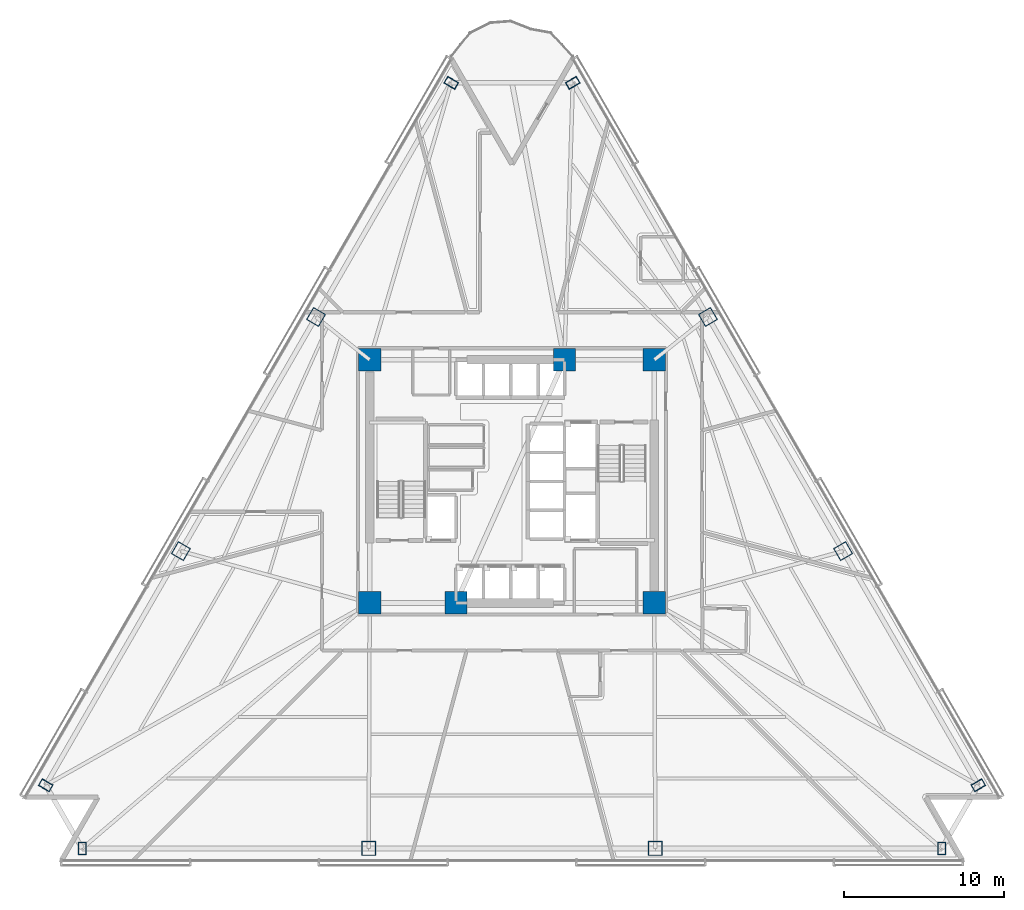
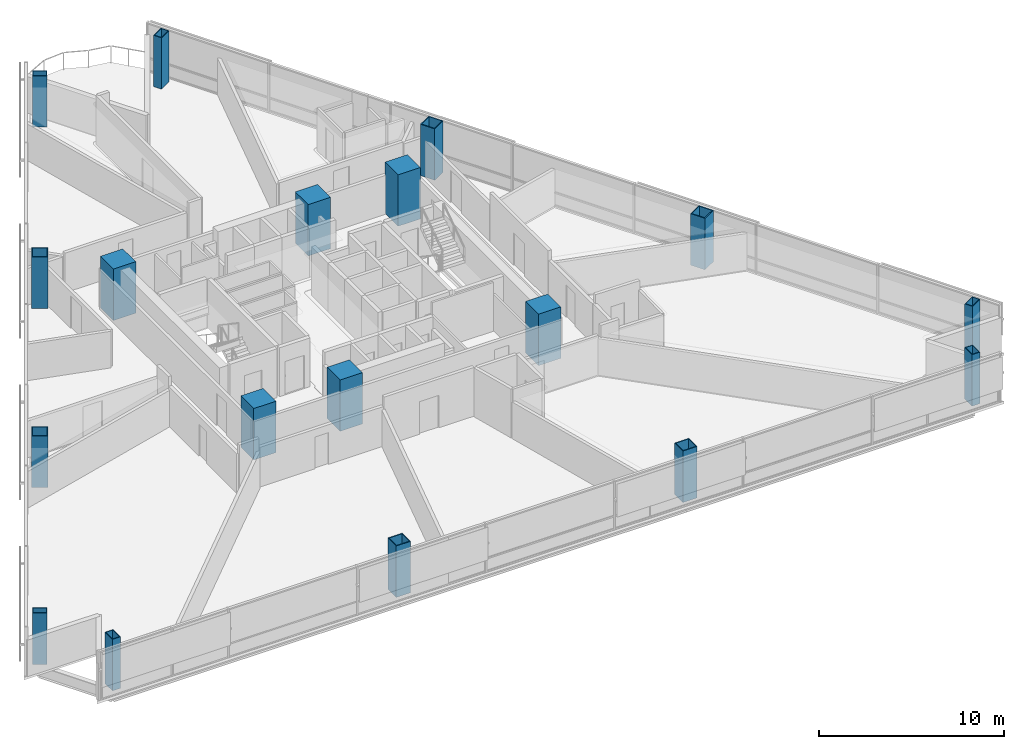
# One storey, part 1 of 16: 18 columns.
"""IFC4 building model written with IfcOpenShell, lengths in metres."""

from ifc_helpers import new_model, si_unit, direction, frame, origin, origin_2d, place, context, subcontext, project, spatial, rectangle, hollow_rectangle, extrude, material, material_profile, profile_set, type_object, element, save


model = new_model("IFC4")

# Units and contexts
model_context = context("Model", 3, precision=1e-05, world=origin(), true_north=direction((0.0, 1.0)))
body_context = subcontext(model_context, "Body", "Model", "MODEL_VIEW")
ifc_project = project(units=[si_unit("LENGTHUNIT", "METRE"), si_unit("AREAUNIT", "SQUARE_METRE"), si_unit("VOLUMEUNIT", "CUBIC_METRE"), si_unit("PLANEANGLEUNIT", "RADIAN"), si_unit("MASSUNIT", "GRAM", prefix="KILO")], contexts=[model_context])

# Site, building, storey
site_placement = place(None, origin())
site = spatial("IfcSite", under=ifc_project, at=site_placement, CompositionType="ELEMENT")
building_placement = place(site_placement, origin())
building = spatial("IfcBuilding", under=site, at=building_placement, Name="Tharavind Bronze Gate", CompositionType="ELEMENT")
storey_placement = place(building_placement, frame((0.0, 0.0, 48.85009765625)))
storey = spatial("IfcBuildingStorey", under=building, at=storey_placement, Name="L11", CompositionType="ELEMENT", Elevation=48.85009765625)

# Columns
ifc_material_1 = material(Name="Steel S460", Category="steel")
ifc_material_profile_1 = material_profile(ifc_material_1, hollow_rectangle(XDim=0.5, YDim=0.800048828125, WallThickness=0.0400390625, at=origin_2d()), Name="RHS800X500X40")
ifc_profile_set_1 = profile_set([ifc_material_profile_1], Name="Steel S460")
column_type_1 = type_object("IfcColumnType", Name="CORNER NOTCH COLUMN RHS800X500", PredefinedType="COLUMN", material=ifc_profile_set_1)
for number, where, z_axis, x_axis, name in (
    (1, (-3.800048828125, 24.918212890625, 0.0), (0.0, 0.0, 1.0), (0.500001511499, 0.866024531118, 0.0), "L11 perimeter column S1C1"),
    (2, (-29.15673828125, -19.0009765625, 0.0), (0.0, 0.0, 1.0), (0.500001511499, 0.866024531118, 0.0), "L11 perimeter column S1C4"),
    (3, (-26.876708984375, -22.949951171875, 0.0), (0.0, 0.0, 1.0), (1.0, 0.0, 0.0), "L11 perimeter column S2C1"),
    (4, (26.876708984375, -22.949951171875, 0.0), (0.0, 0.0, 1.0), (1.0, 0.0, 0.0), "L11 perimeter column S2C4"),
    (5, (29.15673828125, -19.0009765625, 0.0), (0.0, 0.0, 1.0), (-0.500001511499, 0.866024531118, 0.0), "L11 perimeter column S3C1"),
    (6, (3.800048828125, 24.918212890625, 0.0), (0.0, 0.0, 1.0), (-0.500001511499, 0.866024531118, 0.0), "L11 perimeter column S3C4"),
):
    element("IfcColumn", number, at=place(storey_placement, frame(where, z_axis=z_axis, x_axis=x_axis)), inside=storey, type_object=column_type_1, Name=name, PredefinedType="COLUMN", context=body_context, shape_type="SweptSolid", body=[
        extrude(hollow_rectangle(XDim=0.5, YDim=0.800048828125, WallThickness=0.0400390625, at=origin_2d()), origin(), (0.0, 0.0, 1.0), 3.39990234375),
    ])
ifc_material_2 = material(Name="Concrete C70/85", Category="concrete")
ifc_material_profile_2 = material_profile(ifc_material_2, rectangle(XDim=1.39990234375, YDim=1.39990234375, at=origin_2d()), Name="RCCOL1400")
ifc_profile_set_2 = profile_set([ifc_material_profile_2], Name="Concrete C70/85")
column_type_2 = type_object("IfcColumnType", Name="MEGA CORE COLUMN 1400", PredefinedType="COLUMN", material=ifc_profile_set_2)
for number, where, z_axis, x_axis, name in (
    (7, (-8.89990234375, -7.60009765625, 0.0), (0.0, 0.0, 1.0), (1.0, 0.0, 0.0), "L11 core mega column MC1"),
    (8, (-3.5, -7.60009765625, 0.0), (0.0, 0.0, 1.0), (1.0, 0.0, 0.0), "L11 core mega column MC2"),
    (9, (8.89990234375, -7.60009765625, 0.0), (0.0, 0.0, 1.0), (1.0, 0.0, 0.0), "L11 core mega column MC3"),
    (10, (8.89990234375, 7.60009765625, 0.0), (0.0, 0.0, 1.0), (1.0, 0.0, 0.0), "L11 core mega column MC4"),
    (11, (3.280029296875, 7.60009765625, 0.0), (0.0, 0.0, 1.0), (1.0, 0.0, 0.0), "L11 core mega column MC5"),
    (12, (-8.89990234375, 7.60009765625, 0.0), (0.0, 0.0, 1.0), (1.0, 0.0, 0.0), "L11 core mega column MC6"),
):
    element("IfcColumn", number, at=place(storey_placement, frame(where, z_axis=z_axis, x_axis=x_axis)), inside=storey, type_object=column_type_2, Name=name, PredefinedType="COLUMN", context=body_context, shape_type="SweptSolid", body=[
        extrude(rectangle(XDim=1.39990234375, YDim=1.39990234375, at=origin_2d()), origin(), (0.0, 0.0, 1.0), 3.39990234375),
    ])
ifc_material_profile_3 = material_profile(ifc_material_1, hollow_rectangle(XDim=0.89990234375, YDim=0.89990234375, WallThickness=0.050048828125, at=origin_2d()), Name="SHS900X50")
ifc_profile_set_3 = profile_set([ifc_material_profile_3], Name="Steel S460")
column_type_3 = type_object("IfcColumnType", Name="PERIMETER BOX COLUMN SHS900", PredefinedType="COLUMN", material=ifc_profile_set_3)
for number, where, z_axis, x_axis, name in (
    (13, (-12.252197265625, 10.278564453125, 0.0), (0.0, 0.0, 1.0), (0.500001511499, 0.866024531118, 0.0), "L11 perimeter column S1C2"),
    (14, (-20.70458984375, -4.361083984375, 0.0), (0.0, 0.0, 1.0), (0.500001511499, 0.866024531118, 0.0), "L11 perimeter column S1C3"),
    (15, (-8.958984375, -22.949951171875, 0.0), (0.0, 0.0, 1.0), (1.0, 0.0, 0.0), "L11 perimeter column S2C2"),
    (16, (8.958984375, -22.949951171875, 0.0), (0.0, 0.0, 1.0), (1.0, 0.0, 0.0), "L11 perimeter column S2C3"),
    (17, (20.70458984375, -4.361083984375, 0.0), (0.0, 0.0, 1.0), (-0.500001511499, 0.866024531118, 0.0), "L11 perimeter column S3C2"),
    (18, (12.252197265625, 10.278564453125, 0.0), (0.0, 0.0, 1.0), (-0.500001511499, 0.866024531118, 0.0), "L11 perimeter column S3C3"),
):
    element("IfcColumn", number, at=place(storey_placement, frame(where, z_axis=z_axis, x_axis=x_axis)), inside=storey, type_object=column_type_3, Name=name, PredefinedType="COLUMN", context=body_context, shape_type="SweptSolid", body=[
        extrude(hollow_rectangle(XDim=0.89990234375, YDim=0.89990234375, WallThickness=0.050048828125, at=origin_2d()), origin(), (0.0, 0.0, 1.0), 3.39990234375),
    ])

save(model, "model.ifc")
